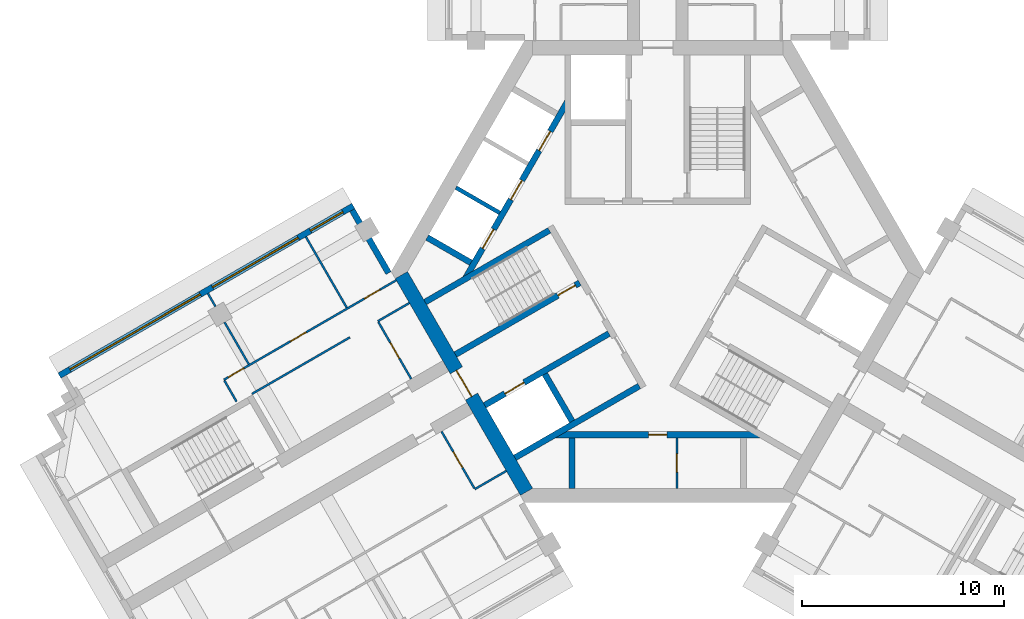
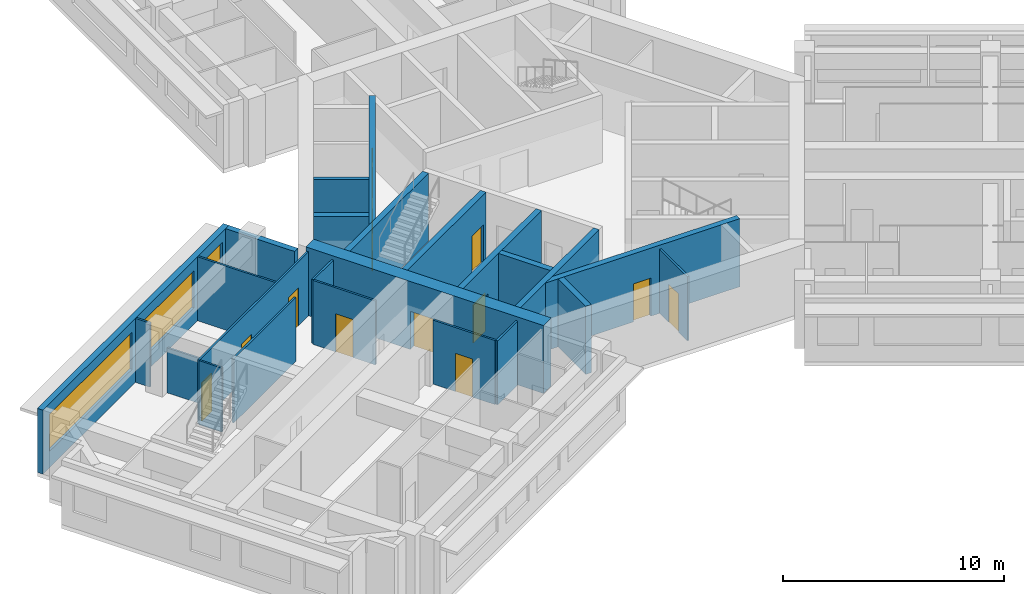
# One storey, part 3 of 10: 24 walls, 13 doors, 3 windows, 16 openings.
"""IFC4 building model written with IfcOpenShell, lengths in metres."""

import ifcopenshell
import ifcopenshell.guid

model = None  # the IFC model being written
_history = None  # IfcOwnerHistory: only IFC2X3 demands one
_inside = {}  # id of a spatial element -> (the spatial element, [elements in it])
_under = {}  # id of a project, library or spatial element -> (it, [spatial elements below it])
_declared = {}  # id of a project -> (the project, [libraries it declares])
_typed = {}  # id of a type object -> (the type object, [elements of that type])
_made_of = {}  # id of a material, layer set ... -> (it, [elements and type objects made of it])


def new_model(schema):
    """Start an empty IFC model of exactly this schema.

    Asked for "IFC4X3", IfcOpenShell would pick the latest addendum, in which some entities
    have other attributes; the version numbers below select the first issue.
    IFC2X3 requires an IfcOwnerHistory on every rooted entity: one is made here for all.
    """
    global model, _history
    if schema == "IFC4X3":
        model = ifcopenshell.file(schema_version=(4, 3, 0, 0))
    else:
        model = ifcopenshell.file(schema=schema)
    _inside.clear()
    _under.clear()
    _declared.clear()
    _typed.clear()
    _made_of.clear()
    _history = None
    if model.schema == "IFC2X3":
        org = make("IfcOrganization", Name="unknown")
        user = make(
            "IfcPersonAndOrganization",
            ThePerson=make("IfcPerson", FamilyName="unknown"),
            TheOrganization=org,
        )
        app = make(
            "IfcApplication",
            ApplicationDeveloper=org,
            Version="unknown",
            ApplicationFullName="unknown",
            ApplicationIdentifier="unknown",
        )
        _history = make(
            "IfcOwnerHistory",
            OwningUser=user,
            OwningApplication=app,
            ChangeAction="ADDED",
            CreationDate=0,
        )
    return model


def make(cls, **values):
    """One entity of the class cls with the attributes given. An attribute that is None is left unset."""
    return model.create_entity(
        cls, **{name: value for name, value in values.items() if value is not None}
    )


def rooted(cls, **values):
    """An entity with a GlobalId (a new one), such as an element, a storey or a relation."""
    return make(cls, GlobalId=ifcopenshell.guid.new(), OwnerHistory=_history, **values)


def si_unit(unit_type, name, prefix=None):
    """IfcSIUnit, for example si_unit("LENGTHUNIT", "METRE", prefix="MILLI")."""
    return make("IfcSIUnit", UnitType=unit_type, Prefix=prefix, Name=name)


def assignment(units):
    """IfcUnitAssignment: the units of a project."""
    return None if units is None else make("IfcUnitAssignment", Units=units)


def point(xyz):
    """IfcCartesianPoint."""
    return None if xyz is None else make("IfcCartesianPoint", Coordinates=xyz)


def direction(xyz):
    """IfcDirection."""
    return None if xyz is None else make("IfcDirection", DirectionRatios=xyz)


def frame(location, z_axis=None, x_axis=None):
    """IfcAxis2Placement3D, a coordinate frame: its origin and axes. An axis left out is left unset."""
    return make(
        "IfcAxis2Placement3D",
        Location=point(location),
        Axis=direction(z_axis),
        RefDirection=direction(x_axis),
    )


def frame_2d(location, x_axis=None):
    """IfcAxis2Placement2D, a coordinate frame in the plane: its origin and x axis."""
    return make(
        "IfcAxis2Placement2D", Location=point(location), RefDirection=direction(x_axis)
    )


def origin():
    """The frame at (0, 0, 0) with its axes left unset."""
    return frame((0.0, 0.0, 0.0))


def place(relative_to, where):
    """IfcLocalPlacement: puts the frame where relative to a parent placement (None: the world)."""
    return make(
        "IfcLocalPlacement", PlacementRelTo=relative_to, RelativePlacement=where
    )


def context(
    kind, dimensions, precision=None, world=None, true_north=None, identifier=None
):
    """IfcGeometricRepresentationContext, for example the 3D "Model" context."""
    return make(
        "IfcGeometricRepresentationContext",
        ContextIdentifier=identifier,
        ContextType=kind,
        CoordinateSpaceDimension=dimensions,
        Precision=precision,
        WorldCoordinateSystem=world,
        TrueNorth=true_north,
    )


def subcontext(parent, identifier, kind, view, scale=None):
    """IfcGeometricRepresentationSubContext, for example "Body" below "Model"."""
    return make(
        "IfcGeometricRepresentationSubContext",
        ContextIdentifier=identifier,
        ContextType=kind,
        ParentContext=parent,
        TargetScale=scale,
        TargetView=view,
    )


def project(units=None, contexts=None):
    """IfcProject with its units and contexts."""
    return rooted(
        "IfcProject",
        Name="project",
        RepresentationContexts=contexts,
        UnitsInContext=assignment(units),
    )


def spatial(cls, under=None, at=None, **own):
    """A site, building, storey or space (cls), placed at a placement, below another one or the project."""
    s = rooted(cls, ObjectPlacement=at, **own)
    if under is not None:
        _under.setdefault(under.id(), (under, []))[1].append(s)
    return s


def profile(cls, at=None, kind="AREA", **sizes):
    """A parametric profile (cls). Its sizes go by their IFC names, for example OverallWidth=200.0."""
    return make(cls, ProfileType=kind, Position=at, **sizes)


def rectangle(**sizes):
    """IfcRectangleProfileDef."""
    return profile("IfcRectangleProfileDef", **sizes)


def extrude(swept, where, along, depth):
    """IfcExtrudedAreaSolid: the profile swept, set in the frame where, extruded along a direction by depth."""
    return make(
        "IfcExtrudedAreaSolid",
        SweptArea=swept,
        Position=where,
        ExtrudedDirection=direction(along),
        Depth=depth,
    )


def shape(context_of_items, identifier, shape_type, items):
    """IfcShapeRepresentation: the items that make up one representation, for example the "Body"."""
    return make(
        "IfcShapeRepresentation",
        ContextOfItems=context_of_items,
        RepresentationIdentifier=identifier,
        RepresentationType=shape_type,
        Items=items,
    )


def material(Name=None, Category=None):
    """IfcMaterial."""
    return make("IfcMaterial", Name=Name, Category=Category)


def layer(
    of_material, thickness, ventilated=None, Name=None, Category=None, Priority=None
):
    """IfcMaterialLayer: one layer of a wall or slab, of a material (None: an air gap)."""
    return make(
        "IfcMaterialLayer",
        Material=of_material,
        LayerThickness=thickness,
        IsVentilated=ventilated,
        Name=Name,
        Category=Category,
        Priority=Priority,
    )


def layer_set(layers, Name=None):
    """IfcMaterialLayerSet."""
    return make("IfcMaterialLayerSet", MaterialLayers=layers, LayerSetName=Name)


def made_of(thing, what):
    """Note that an element or type object is made of a material, layer set ...; save() writes the relation."""
    if what is not None:
        _made_of.setdefault(what.id(), (what, []))[1].append(thing)
    return thing


def type_object(cls, material=None, **own):
    """A type object (cls), such as IfcWallType, which elements share."""
    return made_of(rooted(cls, **own), material)


def element(
    cls,
    number,
    at=None,
    inside=None,
    cuts=None,
    type_object=None,
    material=None,
    context=None,
    identifier="Body",
    shape_type=None,
    held_by="IfcProductDefinitionShape",
    body=None,
    shapes=None,
    **own,
):
    """One element of the class cls, such as IfcWall. Its Tag is "e" and its number.

    at: its placement. inside: the storey or other place that contains it. cuts: it is an
    opening in that element (IfcRelVoidsElement). A single representation is given by context,
    identifier, shape_type and body (its items); several are given by shapes. held_by: the class
    of the entity that holds the representations. save() writes the other relations.
    """
    e = rooted(cls, Tag="e%d" % number, ObjectPlacement=at, **own)
    if body is not None:
        shapes = [shape(context, identifier, shape_type, body)]
    if shapes is not None:
        e.Representation = make(held_by, Representations=shapes)
    if inside is not None:
        _inside.setdefault(inside.id(), (inside, []))[1].append(e)
    if cuts is not None:
        rooted(
            "IfcRelVoidsElement", RelatingBuildingElement=cuts, RelatedOpeningElement=e
        )
    if type_object is not None:
        _typed.setdefault(type_object.id(), (type_object, []))[1].append(e)
    return made_of(e, material)


def fill(opening, filler):
    """IfcRelFillsElement: the door or window that sits in an opening."""
    return rooted(
        "IfcRelFillsElement",
        RelatingOpeningElement=opening,
        RelatedBuildingElement=filler,
    )


def aggregate(whole, parts):
    """IfcRelAggregates: a whole, such as a stair, and the parts it consists of."""
    return rooted("IfcRelAggregates", RelatingObject=whole, RelatedObjects=parts)


def save(model, path):
    """Write the relations noted so far, then the file.

    IfcRelAggregates (storeys below a building ...), IfcRelContainedInSpatialStructure (elements
    in a storey), IfcRelDefinesByType, IfcRelAssociatesMaterial and IfcRelDeclares: one each for
    every whole, place, type object, material and project.
    """
    for whole, parts in _under.values():
        aggregate(whole, parts)
    for where, things in _inside.values():
        rooted(
            "IfcRelContainedInSpatialStructure",
            RelatedElements=things,
            RelatingStructure=where,
        )
    for kind, things in _typed.values():
        rooted("IfcRelDefinesByType", RelatedObjects=things, RelatingType=kind)
    for what, things in _made_of.values():
        rooted("IfcRelAssociatesMaterial", RelatedObjects=things, RelatingMaterial=what)
    for by, libraries in _declared.values():
        rooted("IfcRelDeclares", RelatingContext=by, RelatedDefinitions=libraries)
    model.write(path)


model = new_model("IFC4")

# Units and contexts
model_context = context("Model", 3, precision=1e-05, world=origin(), true_north=direction((0.0, 1.0)))
body_context = subcontext(model_context, "Body", "Model", "MODEL_VIEW")
ifc_project = project(units=[si_unit("LENGTHUNIT", "METRE"), si_unit("AREAUNIT", "SQUARE_METRE"), si_unit("VOLUMEUNIT", "CUBIC_METRE"), si_unit("PLANEANGLEUNIT", "RADIAN"), si_unit("MASSUNIT", "GRAM", prefix="KILO")], contexts=[model_context])

# Site, building, storey
site_placement = place(None, origin())
site = spatial("IfcSite", under=ifc_project, at=site_placement, CompositionType="ELEMENT")
building_placement = place(site_placement, origin())
building = spatial("IfcBuilding", under=site, at=building_placement, Name="Impinga Residences", CompositionType="ELEMENT")
storey_placement = place(building_placement, frame((0.0, 0.0, 241.0)))
storey = spatial("IfcBuildingStorey", under=building, at=storey_placement, Name="L60", CompositionType="ELEMENT", Elevation=241.0)

# Wall, opening, door
ifc_material_1 = material(Name="Concrete blockwork", Category="masonry")
ifc_layer_1 = layer(ifc_material_1, 0.10009765625)
ifc_layer_set_1 = layer_set([ifc_layer_1], Name="CP1 core room partition, blockwork 100")
wall_type_1 = type_object("IfcWallType", Name="CP1 core room partition, blockwork 100", PredefinedType="PARTITIONING", material=ifc_layer_set_1)
wall_1_placement = place(storey_placement, frame((0.949951171875, -8.2314453125, 0.0), z_axis=(0.0, 0.0, 1.0), x_axis=(0.0, -1.0, 0.0)))
wall_1 = element("IfcWall", 1, at=wall_1_placement, inside=storey, type_object=wall_type_1, Name="Core room partition, blockwork L60:CORE:low:ZP1", PredefinedType="PARTITIONING", context=body_context, shape_type="SweptSolid", body=[
    extrude(rectangle(XDim=2.5, YDim=0.10009765625, at=frame_2d((1.25, 0.0))), origin(), (0.0, 0.0, 1.0), 3.530029296875),
])
opening_1_placement = place(wall_1_placement, frame((0.800048828125, 0.0, 0.0)))
opening_1 = element("IfcOpeningElement", 2, at=opening_1_placement, cuts=wall_1, Name="Opening D6", PredefinedType="OPENING", context=body_context, shape_type="SweptSolid", body=[
    extrude(rectangle(XDim=0.89990234375, YDim=2.10009765625, at=frame_2d((0.449951171875, 1.050048828125))), frame((0.0, 0.06005859375, 0.0), z_axis=(0.0, -1.0, 0.0), x_axis=(1.0, 0.0, 0.0)), (0.0, 0.0, 1.0), 0.1201171875),
])
ifc_material_2 = material(Name="Timber door set", Category="wood")
door_type_1 = type_object("IfcDoorType", Name="D6 riser and store door 900x2100", OperationType="SINGLE_SWING_LEFT", PredefinedType="DOOR", material=ifc_material_2)
door_1_placement = place(opening_1_placement, origin())
door_1 = element("IfcDoor", 3, at=door_1_placement, inside=storey, type_object=door_type_1, Name="Staff WC door", OperationType="SINGLE_SWING_LEFT", OverallHeight=2.10009765625, OverallWidth=0.89990234375, PredefinedType="DOOR", context=body_context, shape_type="SweptSolid", body=[
    extrude(rectangle(XDim=0.89990234375, YDim=2.10009765625, at=frame_2d((0.449951171875, 1.050048828125))), frame((0.0, 0.02490234375, 0.0), z_axis=(0.0, -1.0, 0.0), x_axis=(1.0, 0.0, 0.0)), (0.0, 0.0, 1.0), 0.050048828125),
])
fill(opening_1, door_1)

# Wall, openings, windows
ifc_material_3 = material(Name="Terracotta rainscreen on blockwork", Category="masonry")
ifc_layer_2 = layer(ifc_material_3, 0.300048828125)
ifc_layer_set_2 = layer_set([ifc_layer_2], Name="EW1 external wall, terracotta rainscreen on blockwork 300")
wall_type_2 = type_object("IfcWallType", Name="EW1 external wall, terracotta rainscreen on blockwork 300", PredefinedType="SOLIDWALL", material=ifc_layer_set_2)
wall_2_placement = place(storey_placement, frame((-29.624267578125, -5.15234375, 0.0), z_axis=(0.0, 0.0, 1.0), x_axis=(0.86602925447, 0.499993330357, 0.0)))
wall_2 = element("IfcWall", 4, at=wall_2_placement, inside=storey, type_object=wall_type_2, Name="External wall EW1 L60", PredefinedType="SOLIDWALL", context=body_context, shape_type="SweptSolid", body=[
    extrude(rectangle(XDim=16.800048828125, YDim=0.300048828125, at=frame_2d((8.39990234375, 0.0))), origin(), (0.0, 0.0, 1.0), 3.530029296875),
])
opening_2_placement = place(wall_2_placement, frame((0.60009765625, 0.0, 0.89990234375)))
opening_2 = element("IfcOpeningElement", 5, at=opening_2_placement, cuts=wall_2, Name="Opening W7", PredefinedType="OPENING", context=body_context, shape_type="SweptSolid", body=[
    extrude(rectangle(XDim=7.449951171875, YDim=2.050048828125, at=frame_2d((3.72509765625, 1.02490234375))), frame((0.0, 0.159912109375, 0.0), z_axis=(0.0, -1.0, 0.0), x_axis=(1.0, 0.0, 0.0)), (0.0, 0.0, 1.0), 0.320068359375),
])
opening_3_placement = place(wall_2_placement, frame((8.75, 0.0, 0.89990234375)))
opening_3 = element("IfcOpeningElement", 6, at=opening_3_placement, cuts=wall_2, Name="Opening W16", PredefinedType="OPENING", context=body_context, shape_type="SweptSolid", body=[
    extrude(rectangle(XDim=4.89990234375, YDim=2.050048828125, at=frame_2d((2.449951171875, 1.02490234375))), frame((0.0, 0.159912109375, 0.0), z_axis=(0.0, -1.0, 0.0), x_axis=(1.0, 0.0, 0.0)), (0.0, 0.0, 1.0), 0.320068359375),
])
opening_4_placement = place(wall_2_placement, frame((14.35009765625, 0.0, 0.89990234375)))
opening_4 = element("IfcOpeningElement", 7, at=opening_4_placement, cuts=wall_2, Name="Opening W15", PredefinedType="OPENING", context=body_context, shape_type="SweptSolid", body=[
    extrude(rectangle(XDim=1.85009765625, YDim=2.050048828125, at=frame_2d((0.925048828125, 1.02490234375))), frame((0.0, 0.159912109375, 0.0), z_axis=(0.0, -1.0, 0.0), x_axis=(1.0, 0.0, 0.0)), (0.0, 0.0, 1.0), 0.320068359375),
])
ifc_material_4 = material(Name="Aluminium window, clear double glazing", Category="aluminium")
window_type_1 = type_object("IfcWindowType", Name="W15 ribbon window 1850x2050", PartitioningType="SINGLE_PANEL", PredefinedType="WINDOW", material=ifc_material_4)
window_1_placement = place(opening_4_placement, origin())
window_1 = element("IfcWindow", 8, at=window_1_placement, inside=storey, type_object=window_type_1, Name="Window L60", OverallHeight=2.050048828125, OverallWidth=1.85009765625, PartitioningType="SINGLE_PANEL", PredefinedType="WINDOW", context=body_context, shape_type="SweptSolid", body=[
    extrude(rectangle(XDim=1.85009765625, YDim=2.050048828125, at=frame_2d((0.925048828125, 1.02490234375))), frame((0.0, 0.030029296875, 0.0), z_axis=(0.0, -1.0, 0.0), x_axis=(1.0, 0.0, 0.0)), (0.0, 0.0, 1.0), 0.06005859375),
])
fill(opening_4, window_1)
window_type_2 = type_object("IfcWindowType", Name="W16 ribbon window 4900x2050", PartitioningType="SINGLE_PANEL", PredefinedType="WINDOW", material=ifc_material_4)
window_2_placement = place(opening_3_placement, origin())
window_2 = element("IfcWindow", 9, at=window_2_placement, inside=storey, type_object=window_type_2, Name="Window L60", OverallHeight=2.050048828125, OverallWidth=4.89990234375, PartitioningType="SINGLE_PANEL", PredefinedType="WINDOW", context=body_context, shape_type="SweptSolid", body=[
    extrude(rectangle(XDim=4.89990234375, YDim=2.050048828125, at=frame_2d((2.449951171875, 1.02490234375))), frame((0.0, 0.030029296875, 0.0), z_axis=(0.0, -1.0, 0.0), x_axis=(1.0, 0.0, 0.0)), (0.0, 0.0, 1.0), 0.06005859375),
])
fill(opening_3, window_2)
window_type_3 = type_object("IfcWindowType", Name="W7 ribbon window 7450x2050", PartitioningType="SINGLE_PANEL", PredefinedType="WINDOW", material=ifc_material_4)
window_3_placement = place(opening_2_placement, origin())
window_3 = element("IfcWindow", 10, at=window_3_placement, inside=storey, type_object=window_type_3, Name="Window L60", OverallHeight=2.050048828125, OverallWidth=7.449951171875, PartitioningType="SINGLE_PANEL", PredefinedType="WINDOW", context=body_context, shape_type="SweptSolid", body=[
    extrude(rectangle(XDim=7.449951171875, YDim=2.050048828125, at=frame_2d((3.72509765625, 1.02490234375))), frame((0.0, 0.030029296875, 0.0), z_axis=(0.0, -1.0, 0.0), x_axis=(1.0, 0.0, 0.0)), (0.0, 0.0, 1.0), 0.06005859375),
])
fill(opening_2, window_3)

# Walls
wall_3_placement = place(storey_placement, frame((-15.1298828125, 3.042724609375, 0.0), z_axis=(0.0, 0.0, 1.0), x_axis=(0.500012057535, -0.866018442252, 0.0)))
element("IfcWall", 11, at=wall_3_placement, inside=storey, type_object=wall_type_2, Name="External wall EW1 L60", PredefinedType="SOLIDWALL", context=body_context, shape_type="SweptSolid", body=[
    extrude(rectangle(XDim=3.60009765625, YDim=0.300048828125, at=frame_2d((1.800048828125, 0.0))), origin(), (0.0, 0.0, 1.0), 3.530029296875),
])
ifc_material_5 = material(Name="Gypsum board on steel studs", Category="steel")
ifc_layer_3 = layer(ifc_material_5, 0.10009765625)
ifc_layer_set_3 = layer_set([ifc_layer_3], Name="Gypsum board on steel studs")
wall_type_3 = type_object("IfcWallType", Name="IP1 partition 100", PredefinedType="PARTITIONING", material=ifc_layer_set_3)
wall_4_placement = place(storey_placement, frame((-7.5, -9.872802734375, 0.0), z_axis=(0.0, 0.0, 1.0), x_axis=(-0.866047807691, -0.499961193289, 0.0)))
element("IfcWall", 12, at=wall_4_placement, inside=storey, type_object=wall_type_3, Name="Partition L60-WA1:DIV0", PredefinedType="PARTITIONING", context=body_context, shape_type="SweptSolid", body=[
    extrude(rectangle(XDim=1.800048828125, YDim=0.10009765625, at=frame_2d((0.89990234375, 0.0))), origin(), (0.0, 0.0, 1.0), 3.530029296875),
])

# Wall, opening, door
wall_5_placement = place(storey_placement, frame((-10.708740234375, -7.914794921875, 0.0), z_axis=(0.0, 0.0, 1.0), x_axis=(0.499984717929, -0.866034226713, 0.0)))
wall_5 = element("IfcWall", 13, at=wall_5_placement, inside=storey, type_object=wall_type_3, Name="Partition L60-WA1:IB1", PredefinedType="PARTITIONING", context=body_context, shape_type="SweptSolid", body=[
    extrude(rectangle(XDim=3.25, YDim=0.10009765625, at=frame_2d((1.625, 0.0))), origin(), (0.0, 0.0, 1.0), 3.530029296875),
])
opening_5_placement = place(wall_5_placement, frame((1.175048828125, 0.0, 0.0)))
opening_5 = element("IfcOpeningElement", 14, at=opening_5_placement, cuts=wall_5, Name="Opening D2", PredefinedType="OPENING", context=body_context, shape_type="SweptSolid", body=[
    extrude(rectangle(XDim=0.89990234375, YDim=2.10009765625, at=frame_2d((0.449951171875, 1.050048828125))), frame((0.0, 0.06005859375, 0.0), z_axis=(0.0, -1.0, 0.0), x_axis=(1.0, 0.0, 0.0)), (0.0, 0.0, 1.0), 0.1201171875),
])
door_type_2 = type_object("IfcDoorType", Name="D2 internal door 900x2100", OperationType="SINGLE_SWING_LEFT", PredefinedType="DOOR", material=ifc_material_2)
door_2_placement = place(opening_5_placement, origin())
door_2 = element("IfcDoor", 15, at=door_2_placement, inside=storey, type_object=door_type_2, Name="Apartment L60-WA1 bathroom door", OperationType="SINGLE_SWING_LEFT", OverallHeight=2.10009765625, OverallWidth=0.89990234375, PredefinedType="DOOR", context=body_context, shape_type="SweptSolid", body=[
    extrude(rectangle(XDim=0.89990234375, YDim=2.10009765625, at=frame_2d((0.449951171875, 1.050048828125))), frame((0.0, 0.02490234375, 0.0), z_axis=(0.0, -1.0, 0.0), x_axis=(1.0, 0.0, 0.0)), (0.0, 0.0, 1.0), 0.050048828125),
])
fill(opening_5, door_2)

# Walls
wall_6_placement = place(storey_placement, frame((-12.300048828125, -1.558837890625, 0.0), z_axis=(0.0, 0.0, 1.0), x_axis=(-0.866047807691, -0.499961193289, 0.0)))
element("IfcWall", 16, at=wall_6_placement, inside=storey, type_object=wall_type_3, Name="Partition L60-WF1:DIV0", PredefinedType="PARTITIONING", context=body_context, shape_type="SweptSolid", body=[
    extrude(rectangle(XDim=1.800048828125, YDim=0.10009765625, at=frame_2d((0.89990234375, 0.0))), origin(), (0.0, 0.0, 1.0), 3.530029296875),
])
wall_7_placement = place(storey_placement, frame((-15.244384765625, -3.2587890625, 0.0), z_axis=(0.0, 0.0, 1.0), x_axis=(-0.866026594901, -0.49999793692, 0.0)))
element("IfcWall", 17, at=wall_7_placement, inside=storey, type_object=wall_type_3, Name="Partition L60-WF1:DIV1", PredefinedType="PARTITIONING", context=body_context, shape_type="SweptSolid", body=[
    extrude(rectangle(XDim=5.60009765625, YDim=0.10009765625, at=frame_2d((2.800048828125, 0.0))), origin(), (0.0, 0.0, 1.0), 3.530029296875),
])

# Wall, openings, doors
wall_8_placement = place(storey_placement, frame((-12.949951171875, -0.43310546875, 0.0), z_axis=(0.0, 0.0, 1.0), x_axis=(-0.866038236991, -0.499977771575, 0.0)))
wall_8 = element("IfcWall", 18, at=wall_8_placement, inside=storey, type_object=wall_type_3, Name="Partition L60-WF1:STRIP", PredefinedType="PARTITIONING", context=body_context, shape_type="SweptSolid", body=[
    extrude(rectangle(XDim=9.85009765625, YDim=0.10009765625, at=frame_2d((4.925048828125, 0.0))), origin(), (0.0, 0.0, 1.0), 3.530029296875),
])
opening_6_placement = place(wall_8_placement, frame((0.925048828125, 0.0, 0.0)))
opening_6 = element("IfcOpeningElement", 19, at=opening_6_placement, cuts=wall_8, Name="Opening D2", PredefinedType="OPENING", context=body_context, shape_type="SweptSolid", body=[
    extrude(rectangle(XDim=0.89990234375, YDim=2.10009765625, at=frame_2d((0.449951171875, 1.050048828125))), frame((0.0, 0.06005859375, 0.0), z_axis=(0.0, -1.0, 0.0), x_axis=(1.0, 0.0, 0.0)), (0.0, 0.0, 1.0), 0.1201171875),
])
opening_7_placement = place(wall_8_placement, frame((5.14990234375, 0.0, 0.0)))
opening_7 = element("IfcOpeningElement", 20, at=opening_7_placement, cuts=wall_8, Name="Opening D2", PredefinedType="OPENING", context=body_context, shape_type="SweptSolid", body=[
    extrude(rectangle(XDim=0.89990234375, YDim=2.10009765625, at=frame_2d((0.449951171875, 1.050048828125))), frame((0.0, 0.06005859375, 0.0), z_axis=(0.0, -1.0, 0.0), x_axis=(1.0, 0.0, 0.0)), (0.0, 0.0, 1.0), 0.1201171875),
])
opening_8_placement = place(wall_8_placement, frame((8.699951171875, 0.0, 0.0)))
opening_8 = element("IfcOpeningElement", 21, at=opening_8_placement, cuts=wall_8, Name="Opening D2", PredefinedType="OPENING", context=body_context, shape_type="SweptSolid", body=[
    extrude(rectangle(XDim=0.89990234375, YDim=2.10009765625, at=frame_2d((0.449951171875, 1.050048828125))), frame((0.0, 0.06005859375, 0.0), z_axis=(0.0, -1.0, 0.0), x_axis=(1.0, 0.0, 0.0)), (0.0, 0.0, 1.0), 0.1201171875),
])
door_3_placement = place(opening_6_placement, origin())
door_3 = element("IfcDoor", 22, at=door_3_placement, inside=storey, type_object=door_type_2, Name="Apartment L60-WF1 room door", OperationType="SINGLE_SWING_LEFT", OverallHeight=2.10009765625, OverallWidth=0.89990234375, PredefinedType="DOOR", context=body_context, shape_type="SweptSolid", body=[
    extrude(rectangle(XDim=0.89990234375, YDim=2.10009765625, at=frame_2d((0.449951171875, 1.050048828125))), frame((0.0, 0.02490234375, 0.0), z_axis=(0.0, -1.0, 0.0), x_axis=(1.0, 0.0, 0.0)), (0.0, 0.0, 1.0), 0.050048828125),
])
fill(opening_6, door_3)
door_4_placement = place(opening_7_placement, origin())
door_4 = element("IfcDoor", 23, at=door_4_placement, inside=storey, type_object=door_type_2, Name="Apartment L60-WF1 room door", OperationType="SINGLE_SWING_RIGHT", OverallHeight=2.10009765625, OverallWidth=0.89990234375, PredefinedType="DOOR", context=body_context, shape_type="SweptSolid", body=[
    extrude(rectangle(XDim=0.89990234375, YDim=2.10009765625, at=frame_2d((0.449951171875, 1.050048828125))), frame((0.0, 0.02490234375, 0.0), z_axis=(0.0, -1.0, 0.0), x_axis=(1.0, 0.0, 0.0)), (0.0, 0.0, 1.0), 0.050048828125),
])
fill(opening_7, door_4)
door_5_placement = place(opening_8_placement, origin())
door_5 = element("IfcDoor", 24, at=door_5_placement, inside=storey, type_object=door_type_2, Name="Apartment L60-WF1 room door", OperationType="SINGLE_SWING_RIGHT", OverallHeight=2.10009765625, OverallWidth=0.89990234375, PredefinedType="DOOR", context=body_context, shape_type="SweptSolid", body=[
    extrude(rectangle(XDim=0.89990234375, YDim=2.10009765625, at=frame_2d((0.449951171875, 1.050048828125))), frame((0.0, 0.02490234375, 0.0), z_axis=(0.0, -1.0, 0.0), x_axis=(1.0, 0.0, 0.0)), (0.0, 0.0, 1.0), 0.050048828125),
])
fill(opening_8, door_5)

# Wall
wall_9_placement = place(storey_placement, frame((-20.85546875, -6.4404296875, 0.0), z_axis=(0.0, 0.0, 1.0), x_axis=(-0.499969057507, 0.866043267704, 0.0)))
element("IfcWall", 25, at=wall_9_placement, inside=storey, type_object=wall_type_3, Name="Partition L60-WF1:SE1", PredefinedType="PARTITIONING", context=body_context, shape_type="SweptSolid", body=[
    extrude(rectangle(XDim=1.19970703125, YDim=0.10009765625, at=frame_2d((0.599853515625, 0.0))), origin(), (0.0, 0.0, 1.0), 3.530029296875),
])

# Wall, opening, door
wall_10_placement = place(storey_placement, frame((-12.208740234375, -5.316650390625, 0.0), z_axis=(0.0, 0.0, 1.0), x_axis=(-0.500017246033, 0.866015446554, 0.0)))
wall_10 = element("IfcWall", 26, at=wall_10_placement, inside=storey, type_object=wall_type_3, Name="Partition L60-WF1:IB1", PredefinedType="PARTITIONING", context=body_context, shape_type="SweptSolid", body=[
    extrude(rectangle(XDim=3.25, YDim=0.10009765625, at=frame_2d((1.625, 0.0))), origin(), (0.0, 0.0, 1.0), 3.530029296875),
])
opening_9_placement = place(wall_10_placement, frame((1.175048828125, 0.0, 0.0)))
opening_9 = element("IfcOpeningElement", 27, at=opening_9_placement, cuts=wall_10, Name="Opening D2", PredefinedType="OPENING", context=body_context, shape_type="SweptSolid", body=[
    extrude(rectangle(XDim=0.89990234375, YDim=2.10009765625, at=frame_2d((0.449951171875, 1.050048828125))), frame((0.0, 0.06005859375, 0.0), z_axis=(0.0, -1.0, 0.0), x_axis=(1.0, 0.0, 0.0)), (0.0, 0.0, 1.0), 0.1201171875),
])
door_6_placement = place(opening_9_placement, origin())
door_6 = element("IfcDoor", 28, at=door_6_placement, inside=storey, type_object=door_type_2, Name="Apartment L60-WF1 bathroom door", OperationType="SINGLE_SWING_LEFT", OverallHeight=2.10009765625, OverallWidth=0.89990234375, PredefinedType="DOOR", context=body_context, shape_type="SweptSolid", body=[
    extrude(rectangle(XDim=0.89990234375, YDim=2.10009765625, at=frame_2d((0.449951171875, 1.050048828125))), frame((0.0, 0.02490234375, 0.0), z_axis=(0.0, -1.0, 0.0), x_axis=(1.0, 0.0, 0.0)), (0.0, 0.0, 1.0), 0.050048828125),
])
fill(opening_9, door_6)

# Walls
wall_11_placement = place(storey_placement, frame((-15.39990234375, -1.789794921875, 0.0), z_axis=(0.0, 0.0, 1.0), x_axis=(-0.499964223975, 0.866046058097, 0.0)))
element("IfcWall", 29, at=wall_11_placement, inside=storey, type_object=wall_type_3, Name="Partition L60-WF1:OB1", PredefinedType="PARTITIONING", context=body_context, shape_type="SweptSolid", body=[
    extrude(rectangle(XDim=4.050048828125, YDim=0.10009765625, at=frame_2d((2.02490234375, 0.0))), origin(), (0.0, 0.0, 1.0), 3.530029296875),
])
wall_12_placement = place(storey_placement, frame((-20.24951171875, -4.589599609375, 0.0), z_axis=(0.0, 0.0, 1.0), x_axis=(-0.500077600433, 0.865980596518, 0.0)))
element("IfcWall", 30, at=wall_12_placement, inside=storey, type_object=wall_type_3, Name="Partition L60-WF1:OB2", PredefinedType="PARTITIONING", context=body_context, shape_type="SweptSolid", body=[
    extrude(rectangle(XDim=2.39990234375, YDim=0.10009765625, at=frame_2d((1.199951171875, 0.0))), origin(), (0.0, 0.0, 1.0), 2.47998046875),
])
wall_13_placement = place(storey_placement, frame((-21.899658203125, -1.73193359375, 0.0), z_axis=(0.0, 0.0, 1.0), x_axis=(-0.499919672301, 0.866071776036, 0.0)))
element("IfcWall", 31, at=wall_13_placement, inside=storey, type_object=wall_type_3, Name="Partition L60-WF1:OB2b", PredefinedType="PARTITIONING", context=body_context, shape_type="SweptSolid", body=[
    extrude(rectangle(XDim=0.75, YDim=0.10009765625, at=frame_2d((0.375, 0.0))), origin(), (0.0, 0.0, 1.0), 3.530029296875),
])

# Wall, opening, door
ifc_material_6 = material(Name="Concrete C60/75", Category="concrete")
ifc_layer_4 = layer(ifc_material_6, 0.699951171875)
ifc_layer_set_4 = layer_set([ifc_layer_4], Name="Concrete C60/75")
wall_type_4 = type_object("IfcWallType", Name="SW3 core wall 700", PredefinedType="SHEAR", material=ifc_layer_set_4)
wall_14_placement = place(storey_placement, frame((-6.4990234375, -10.906494140625, 0.0), z_axis=(0.0, 0.0, 1.0), x_axis=(-0.499999875397, 0.866025475724, 0.0)))
wall_14 = element("IfcWall", 32, at=wall_14_placement, inside=storey, type_object=wall_type_4, Name="Core wall SW3 W:FACE L60", PredefinedType="SHEAR", context=body_context, shape_type="SweptSolid", body=[
    extrude(rectangle(XDim=12.3916015625, YDim=0.699951171875, at=frame_2d((6.19580078125, 0.0))), origin(), (0.0, 0.0, 1.0), 3.75),
])
opening_10_placement = place(wall_14_placement, frame((5.44580078125, 0.0, 0.0)))
opening_10 = element("IfcOpeningElement", 33, at=opening_10_placement, cuts=wall_14, Name="Opening D4", PredefinedType="OPENING", context=body_context, shape_type="SweptSolid", body=[
    extrude(rectangle(XDim=1.5, YDim=2.10009765625, at=frame_2d((0.75, 1.050048828125))), frame((0.0, 0.35986328125, 0.0), z_axis=(0.0, -1.0, 0.0), x_axis=(1.0, 0.0, 0.0)), (0.0, 0.0, 1.0), 0.719970703125),
])
door_type_3 = type_object("IfcDoorType", Name="D4 lobby door pair 1500x2100", OperationType="DOUBLE_DOOR_DOUBLE_SWING", PredefinedType="DOOR", material=ifc_material_2)
door_7_placement = place(opening_10_placement, origin())
door_7 = element("IfcDoor", 34, at=door_7_placement, inside=storey, type_object=door_type_3, Name="Lobby door W", OperationType="DOUBLE_DOOR_DOUBLE_SWING", OverallHeight=2.10009765625, OverallWidth=1.5, PredefinedType="DOOR", context=body_context, shape_type="SweptSolid", body=[
    extrude(rectangle(XDim=1.5, YDim=2.10009765625, at=frame_2d((0.75, 1.050048828125))), frame((0.0, 0.02490234375, 0.0), z_axis=(0.0, -1.0, 0.0), x_axis=(1.0, 0.0, 0.0)), (0.0, 0.0, 1.0), 0.050048828125),
])
fill(opening_10, door_7)

ifc_material_7 = material(Name="Concrete C70/85", Category="concrete")
ifc_layer_5 = layer(ifc_material_7, 0.300048828125)
ifc_layer_set_5 = layer_set([ifc_layer_5], Name="Concrete C70/85")
wall_type_5 = type_object("IfcWallType", Name="SW5 core inner wall, stairs, shafts and lobbies 300", PredefinedType="SHEAR", material=ifc_layer_set_5)
wall_15_placement = place(storey_placement, frame((-3.86865234375, -0.559326171875, 0.0), z_axis=(0.0, 0.0, 1.0), x_axis=(-0.866025859768, -0.499999210213, 0.0)))
wall_15 = element("IfcWall", 35, at=wall_15_placement, inside=storey, type_object=wall_type_5, Name="Core wall SW5 W:ST-IN L60", PredefinedType="SHEAR", context=body_context, shape_type="SweptSolid", body=[
    extrude(rectangle(XDim=7.1015625, YDim=0.300048828125, at=frame_2d((3.55078125, 0.0))), origin(), (0.0, 0.0, 1.0), 3.75),
])
opening_11_placement = place(wall_15_placement, frame((0.25, 0.0, 0.0)))
opening_11 = element("IfcOpeningElement", 36, at=opening_11_placement, cuts=wall_15, Name="Opening D5", PredefinedType="OPENING", context=body_context, shape_type="SweptSolid", body=[
    extrude(rectangle(XDim=1.0, YDim=2.10009765625, at=frame_2d((0.5, 1.050048828125))), frame((0.0, 0.159912109375, 0.0), z_axis=(0.0, -1.0, 0.0), x_axis=(1.0, 0.0, 0.0)), (0.0, 0.0, 1.0), 0.320068359375),
])
door_type_4 = type_object("IfcDoorType", Name="D5 stair door 1000x2100", OperationType="SINGLE_SWING_LEFT", PredefinedType="DOOR", material=ifc_material_2)
door_8_placement = place(opening_11_placement, origin())
door_8 = element("IfcDoor", 37, at=door_8_placement, inside=storey, type_object=door_type_4, Name="Stair door W", OperationType="SINGLE_SWING_LEFT", OverallHeight=2.10009765625, OverallWidth=1.0, PredefinedType="DOOR", context=body_context, shape_type="SweptSolid", body=[
    extrude(rectangle(XDim=1.0, YDim=2.10009765625, at=frame_2d((0.5, 1.050048828125))), frame((0.0, 0.02490234375, 0.0), z_axis=(0.0, -1.0, 0.0), x_axis=(1.0, 0.0, 0.0)), (0.0, 0.0, 1.0), 0.050048828125),
])
fill(opening_11, door_8)

# Wall
wall_16_placement = place(storey_placement, frame((-5.36865234375, 2.038818359375, 0.0), z_axis=(0.0, 0.0, 1.0), x_axis=(-0.866025859768, -0.499999210213, 0.0)))
element("IfcWall", 38, at=wall_16_placement, inside=storey, type_object=wall_type_5, Name="Core wall SW5 W:ST-OUT L60", PredefinedType="SHEAR", context=body_context, shape_type="SweptSolid", body=[
    extrude(rectangle(XDim=7.1015625, YDim=0.300048828125, at=frame_2d((3.55078125, 0.0))), origin(), (0.0, 0.0, 1.0), 3.75),
])

# Wall, opening, door
wall_17_placement = place(storey_placement, frame((-2.418701171875, -3.07080078125, 0.0), z_axis=(0.0, 0.0, 1.0), x_axis=(-0.866025859768, -0.499999210213, 0.0)))
wall_17 = element("IfcWall", 39, at=wall_17_placement, inside=storey, type_object=wall_type_5, Name="Core wall SW5 W:FF-IN L60", PredefinedType="SHEAR", context=body_context, shape_type="SweptSolid", body=[
    extrude(rectangle(XDim=7.1015625, YDim=0.300048828125, at=frame_2d((3.55078125, 0.0))), origin(), (0.0, 0.0, 1.0), 3.75),
])
opening_12_placement = place(wall_17_placement, frame((4.85009765625, 0.0, 0.0)))
opening_12 = element("IfcOpeningElement", 40, at=opening_12_placement, cuts=wall_17, Name="Opening LD2", PredefinedType="OPENING", context=body_context, shape_type="SweptSolid", body=[
    extrude(rectangle(XDim=1.10009765625, YDim=2.10009765625, at=frame_2d((0.550048828125, 1.050048828125))), frame((0.0, 0.159912109375, 0.0), z_axis=(0.0, -1.0, 0.0), x_axis=(1.0, 0.0, 0.0)), (0.0, 0.0, 1.0), 0.320068359375),
])
ifc_material_8 = material(Name="Steel lift landing door", Category="steel")
door_type_5 = type_object("IfcDoorType", Name="LD2 firefighting lift landing door 1100x2100", OperationType="DOUBLE_DOOR_SLIDING", PredefinedType="DOOR", material=ifc_material_8)
door_9_placement = place(opening_12_placement, origin())
door_9 = element("IfcDoor", 41, at=door_9_placement, inside=storey, type_object=door_type_5, Name="Firefighting lift landing door F2", OperationType="DOUBLE_DOOR_SLIDING", OverallHeight=2.10009765625, OverallWidth=1.10009765625, PredefinedType="DOOR", context=body_context, shape_type="SweptSolid", body=[
    extrude(rectangle(XDim=1.10009765625, YDim=2.10009765625, at=frame_2d((0.550048828125, 1.050048828125))), frame((0.0, 0.02490234375, 0.0), z_axis=(0.0, -1.0, 0.0), x_axis=(1.0, 0.0, 0.0)), (0.0, 0.0, 1.0), 0.050048828125),
])
fill(opening_12, door_9)

# Walls
wall_18_placement = place(storey_placement, frame((-0.918701171875, -5.668701171875, 0.0), z_axis=(0.0, 0.0, 1.0), x_axis=(-0.866025859768, -0.499999210213, 0.0)))
element("IfcWall", 42, at=wall_18_placement, inside=storey, type_object=wall_type_5, Name="Core wall SW5 W:FF-OUT L60", PredefinedType="SHEAR", context=body_context, shape_type="SweptSolid", body=[
    extrude(rectangle(XDim=7.1015625, YDim=0.300048828125, at=frame_2d((3.55078125, 0.0))), origin(), (0.0, 0.0, 1.0), 3.75),
])
wall_19_placement = place(storey_placement, frame((-4.2412109375, -7.413818359375, 0.0), z_axis=(0.0, 0.0, 1.0), x_axis=(-0.500048589285, 0.86599734893, 0.0)))
element("IfcWall", 43, at=wall_19_placement, inside=storey, type_object=wall_type_5, Name="Core wall SW5 W:FF-RS L60", PredefinedType="SHEAR", context=body_context, shape_type="SweptSolid", body=[
    extrude(rectangle(XDim=2.699951171875, YDim=0.300048828125, at=frame_2d((1.35009765625, 0.0))), origin(), (0.0, 0.0, 1.0), 3.75),
])

# Wall, opening, door
wall_20_placement = place(storey_placement, frame((5.09765625, -8.08154296875, 0.0), z_axis=(0.0, 0.0, 1.0), x_axis=(-1.0, 0.0, 0.0)))
wall_20 = element("IfcWall", 44, at=wall_20_placement, inside=storey, type_object=wall_type_5, Name="Core wall SW5 N:BANK-FRONT L60", PredefinedType="SHEAR", context=body_context, shape_type="SweptSolid", body=[
    extrude(rectangle(XDim=10.1953125, YDim=0.300048828125, at=frame_2d((5.09765625, 0.0))), origin(), (0.0, 0.0, 1.0), 3.75),
])
opening_13_placement = place(wall_20_placement, frame((4.647705078125, 0.0, 0.0)))
opening_13 = element("IfcOpeningElement", 45, at=opening_13_placement, cuts=wall_20, Name="Opening D6", PredefinedType="OPENING", context=body_context, shape_type="SweptSolid", body=[
    extrude(rectangle(XDim=0.89990234375, YDim=2.10009765625, at=frame_2d((0.449951171875, 1.050048828125))), frame((0.0, 0.159912109375, 0.0), z_axis=(0.0, -1.0, 0.0), x_axis=(1.0, 0.0, 0.0)), (0.0, 0.0, 1.0), 0.320068359375),
])
door_10_placement = place(opening_13_placement, origin())
door_10 = element("IfcDoor", 46, at=door_10_placement, inside=storey, type_object=door_type_1, Name="Guest pantry door", OperationType="SINGLE_SWING_LEFT", OverallHeight=2.10009765625, OverallWidth=0.89990234375, PredefinedType="DOOR", context=body_context, shape_type="SweptSolid", body=[
    extrude(rectangle(XDim=0.89990234375, YDim=2.10009765625, at=frame_2d((0.449951171875, 1.050048828125))), frame((0.0, 0.02490234375, 0.0), z_axis=(0.0, -1.0, 0.0), x_axis=(1.0, 0.0, 0.0)), (0.0, 0.0, 1.0), 0.050048828125),
])
fill(opening_13, door_10)

# Wall
wall_21_placement = place(storey_placement, frame((-4.25, -8.2314453125, 0.0), z_axis=(0.0, 0.0, 1.0), x_axis=(0.0, -1.0, 0.0)))
element("IfcWall", 47, at=wall_21_placement, inside=storey, type_object=wall_type_5, Name="Core wall SW5 N:BANK-R L60", PredefinedType="SHEAR", context=body_context, shape_type="SweptSolid", body=[
    extrude(rectangle(XDim=2.5, YDim=0.300048828125, at=frame_2d((1.25, 0.0))), origin(), (0.0, 0.0, 1.0), 3.75),
])

# Wall, openings, doors
wall_22_placement = place(storey_placement, frame((-9.547607421875, -0.3740234375, 0.0), z_axis=(0.0, 0.0, 1.0), x_axis=(0.500002290144, 0.866024081565, 0.0)))
wall_22 = element("IfcWall", 48, at=wall_22_placement, inside=storey, type_object=wall_type_5, Name="Core wall SW5 E:BANK-FRONT L60", PredefinedType="SHEAR", context=body_context, shape_type="SweptSolid", body=[
    extrude(rectangle(XDim=10.1953125, YDim=0.300048828125, at=frame_2d((5.09765625, 0.0))), origin(), (0.0, 0.0, 1.0), 3.75),
])
opening_14_placement = place(wall_22_placement, frame((1.74755859375, 0.0, 0.0)))
opening_14 = element("IfcOpeningElement", 49, at=opening_14_placement, cuts=wall_22, Name="Opening LD1", PredefinedType="OPENING", context=body_context, shape_type="SweptSolid", body=[
    extrude(rectangle(XDim=1.10009765625, YDim=2.10009765625, at=frame_2d((0.550048828125, 1.050048828125))), frame((0.0, 0.159912109375, 0.0), z_axis=(0.0, -1.0, 0.0), x_axis=(1.0, 0.0, 0.0)), (0.0, 0.0, 1.0), 0.320068359375),
])
opening_15_placement = place(wall_22_placement, frame((4.547607421875, 0.0, 0.0)))
opening_15 = element("IfcOpeningElement", 50, at=opening_15_placement, cuts=wall_22, Name="Opening LD1", PredefinedType="OPENING", context=body_context, shape_type="SweptSolid", body=[
    extrude(rectangle(XDim=1.10009765625, YDim=2.10009765625, at=frame_2d((0.550048828125, 1.050048828125))), frame((0.0, 0.159912109375, 0.0), z_axis=(0.0, -1.0, 0.0), x_axis=(1.0, 0.0, 0.0)), (0.0, 0.0, 1.0), 0.320068359375),
])
opening_16_placement = place(wall_22_placement, frame((7.34765625, 0.0, 0.0)))
opening_16 = element("IfcOpeningElement", 51, at=opening_16_placement, cuts=wall_22, Name="Opening LD1", PredefinedType="OPENING", context=body_context, shape_type="SweptSolid", body=[
    extrude(rectangle(XDim=1.10009765625, YDim=2.10009765625, at=frame_2d((0.550048828125, 1.050048828125))), frame((0.0, 0.159912109375, 0.0), z_axis=(0.0, -1.0, 0.0), x_axis=(1.0, 0.0, 0.0)), (0.0, 0.0, 1.0), 0.320068359375),
])
door_type_6 = type_object("IfcDoorType", Name="LD1 passenger lift landing door 1100x2100", OperationType="DOUBLE_DOOR_SLIDING", PredefinedType="DOOR", material=ifc_material_8)
door_11_placement = place(opening_14_placement, origin())
door_11 = element("IfcDoor", 52, at=door_11_placement, inside=storey, type_object=door_type_6, Name="Lift landing door P7", OperationType="DOUBLE_DOOR_SLIDING", OverallHeight=2.10009765625, OverallWidth=1.10009765625, PredefinedType="DOOR", context=body_context, shape_type="SweptSolid", body=[
    extrude(rectangle(XDim=1.10009765625, YDim=2.10009765625, at=frame_2d((0.550048828125, 1.050048828125))), frame((0.0, 0.02490234375, 0.0), z_axis=(0.0, -1.0, 0.0), x_axis=(1.0, 0.0, 0.0)), (0.0, 0.0, 1.0), 0.050048828125),
])
fill(opening_14, door_11)
door_12_placement = place(opening_15_placement, origin())
door_12 = element("IfcDoor", 53, at=door_12_placement, inside=storey, type_object=door_type_6, Name="Lift landing door P8", OperationType="DOUBLE_DOOR_SLIDING", OverallHeight=2.10009765625, OverallWidth=1.10009765625, PredefinedType="DOOR", context=body_context, shape_type="SweptSolid", body=[
    extrude(rectangle(XDim=1.10009765625, YDim=2.10009765625, at=frame_2d((0.550048828125, 1.050048828125))), frame((0.0, 0.02490234375, 0.0), z_axis=(0.0, -1.0, 0.0), x_axis=(1.0, 0.0, 0.0)), (0.0, 0.0, 1.0), 0.050048828125),
])
fill(opening_15, door_12)
door_13_placement = place(opening_16_placement, origin())
door_13 = element("IfcDoor", 54, at=door_13_placement, inside=storey, type_object=door_type_6, Name="Lift landing door P9", OperationType="DOUBLE_DOOR_SLIDING", OverallHeight=2.10009765625, OverallWidth=1.10009765625, PredefinedType="DOOR", context=body_context, shape_type="SweptSolid", body=[
    extrude(rectangle(XDim=1.10009765625, YDim=2.10009765625, at=frame_2d((0.550048828125, 1.050048828125))), frame((0.0, 0.02490234375, 0.0), z_axis=(0.0, -1.0, 0.0), x_axis=(1.0, 0.0, 0.0)), (0.0, 0.0, 1.0), 0.050048828125),
])
fill(opening_16, door_13)

# Walls
wall_23_placement = place(storey_placement, frame((-9.253662109375, 0.43505859375, 0.0), z_axis=(0.0, 0.0, 1.0), x_axis=(-0.866022959057, 0.500004234368, 0.0)))
element("IfcWall", 55, at=wall_23_placement, inside=storey, type_object=wall_type_5, Name="Core wall SW5 E:BANK-L L60", PredefinedType="SHEAR", context=body_context, shape_type="SweptSolid", body=[
    extrude(rectangle(XDim=2.5, YDim=0.300048828125, at=frame_2d((1.25, 0.0))), origin(), (0.0, 0.0, 1.0), 3.75),
])
ifc_layer_6 = layer(ifc_material_7, 0.199951171875)
ifc_layer_set_6 = layer_set([ifc_layer_6], Name="Concrete C70/85")
wall_type_6 = type_object("IfcWallType", Name="SW6 lift shaft divider wall 200", PredefinedType="SHEAR", material=ifc_layer_set_6)
wall_24_placement = place(storey_placement, frame((-7.82861328125, 2.9033203125, 0.0), z_axis=(0.0, 0.0, 1.0), x_axis=(-0.866047370643, 0.499961950354, 0.0)))
element("IfcWall", 56, at=wall_24_placement, inside=storey, type_object=wall_type_6, Name="Core wall SW6 E:BANK-D1 L60", PredefinedType="SHEAR", context=body_context, shape_type="SweptSolid", body=[
    extrude(rectangle(XDim=2.500244140625, YDim=0.199951171875, at=frame_2d((1.25, 0.0))), origin(), (0.0, 0.0, 1.0), 3.75),
])

save(model, "model.ifc")
